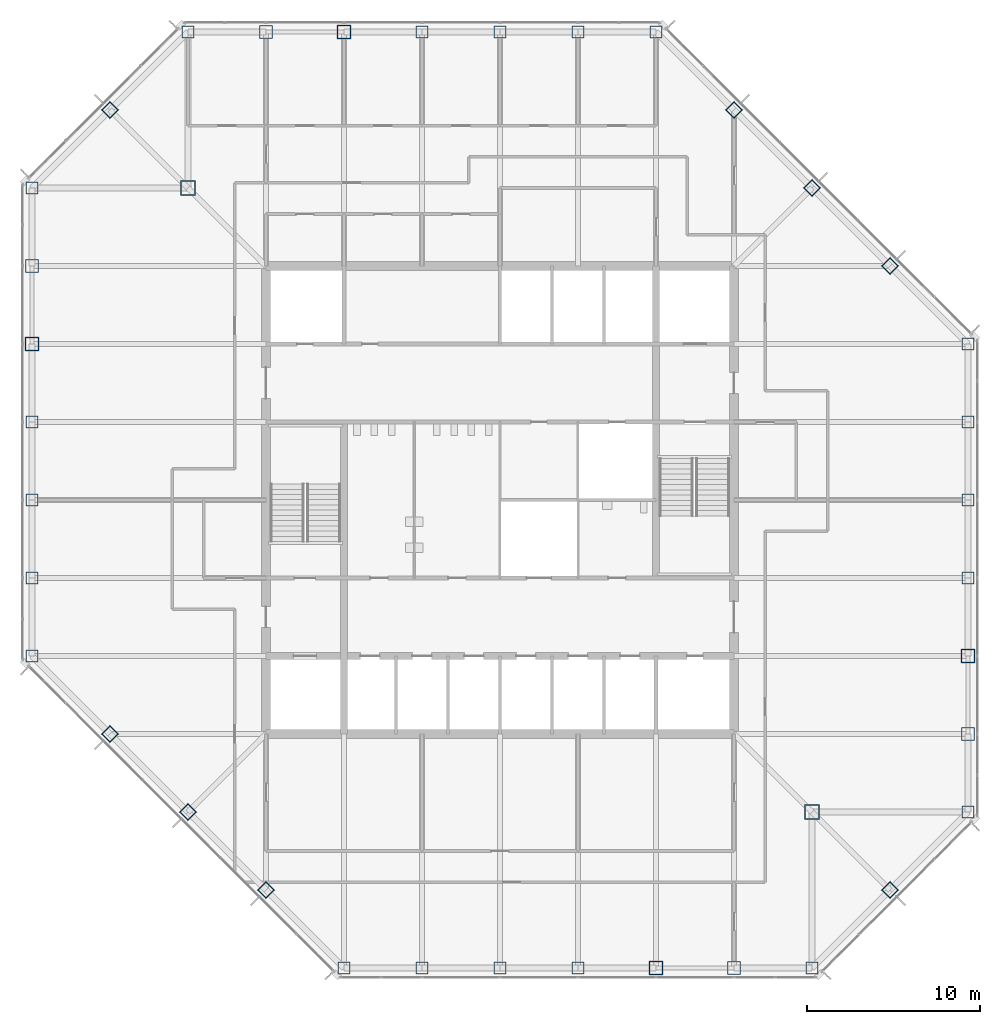
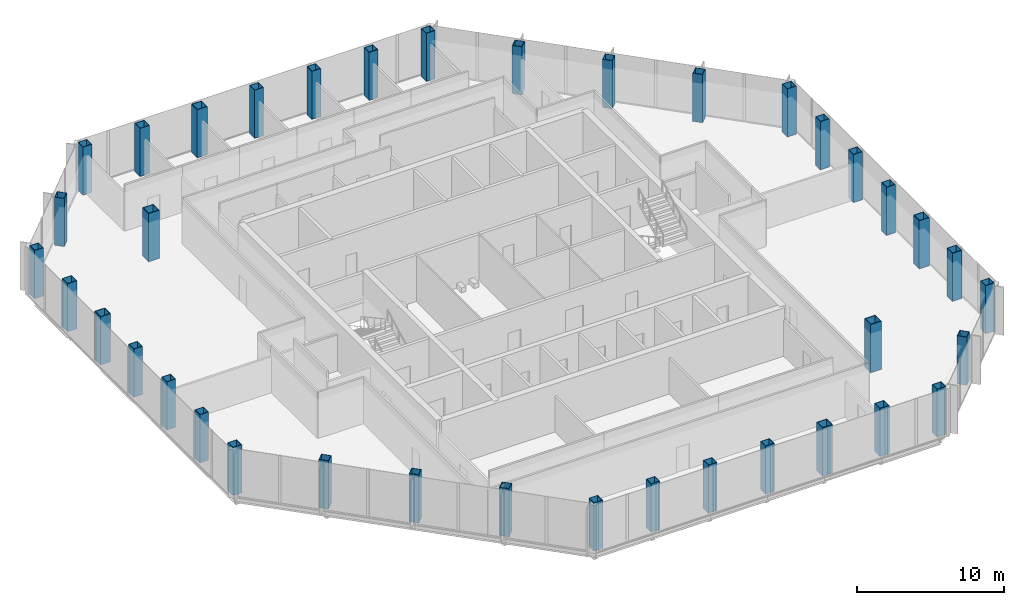
# One storey, part 1 of 13: 38 columns.
"""IFC4 building model written with IfcOpenShell, lengths in metres."""

import ifcopenshell
import ifcopenshell.guid

model = None  # the IFC model being written
_history = None  # IfcOwnerHistory: only IFC2X3 demands one
_inside = {}  # id of a spatial element -> (the spatial element, [elements in it])
_under = {}  # id of a project, library or spatial element -> (it, [spatial elements below it])
_declared = {}  # id of a project -> (the project, [libraries it declares])
_typed = {}  # id of a type object -> (the type object, [elements of that type])
_made_of = {}  # id of a material, layer set ... -> (it, [elements and type objects made of it])


def new_model(schema):
    """Start an empty IFC model of exactly this schema.

    Asked for "IFC4X3", IfcOpenShell would pick the latest addendum, in which some entities
    have other attributes; the version numbers below select the first issue.
    IFC2X3 requires an IfcOwnerHistory on every rooted entity: one is made here for all.
    """
    global model, _history
    if schema == "IFC4X3":
        model = ifcopenshell.file(schema_version=(4, 3, 0, 0))
    else:
        model = ifcopenshell.file(schema=schema)
    _inside.clear()
    _under.clear()
    _declared.clear()
    _typed.clear()
    _made_of.clear()
    _history = None
    if model.schema == "IFC2X3":
        org = make("IfcOrganization", Name="unknown")
        user = make(
            "IfcPersonAndOrganization",
            ThePerson=make("IfcPerson", FamilyName="unknown"),
            TheOrganization=org,
        )
        app = make(
            "IfcApplication",
            ApplicationDeveloper=org,
            Version="unknown",
            ApplicationFullName="unknown",
            ApplicationIdentifier="unknown",
        )
        _history = make(
            "IfcOwnerHistory",
            OwningUser=user,
            OwningApplication=app,
            ChangeAction="ADDED",
            CreationDate=0,
        )
    return model


def make(cls, **values):
    """One entity of the class cls with the attributes given. An attribute that is None is left unset."""
    return model.create_entity(
        cls, **{name: value for name, value in values.items() if value is not None}
    )


def rooted(cls, **values):
    """An entity with a GlobalId (a new one), such as an element, a storey or a relation."""
    return make(cls, GlobalId=ifcopenshell.guid.new(), OwnerHistory=_history, **values)


def si_unit(unit_type, name, prefix=None):
    """IfcSIUnit, for example si_unit("LENGTHUNIT", "METRE", prefix="MILLI")."""
    return make("IfcSIUnit", UnitType=unit_type, Prefix=prefix, Name=name)


def assignment(units):
    """IfcUnitAssignment: the units of a project."""
    return None if units is None else make("IfcUnitAssignment", Units=units)


def point(xyz):
    """IfcCartesianPoint."""
    return None if xyz is None else make("IfcCartesianPoint", Coordinates=xyz)


def direction(xyz):
    """IfcDirection."""
    return None if xyz is None else make("IfcDirection", DirectionRatios=xyz)


def frame(location, z_axis=None, x_axis=None):
    """IfcAxis2Placement3D, a coordinate frame: its origin and axes. An axis left out is left unset."""
    return make(
        "IfcAxis2Placement3D",
        Location=point(location),
        Axis=direction(z_axis),
        RefDirection=direction(x_axis),
    )


def frame_2d(location, x_axis=None):
    """IfcAxis2Placement2D, a coordinate frame in the plane: its origin and x axis."""
    return make(
        "IfcAxis2Placement2D", Location=point(location), RefDirection=direction(x_axis)
    )


def origin():
    """The frame at (0, 0, 0) with its axes left unset."""
    return frame((0.0, 0.0, 0.0))


def origin_2d():
    """The frame at (0, 0) in the plane with its x axis left unset."""
    return frame_2d((0.0, 0.0))


def place(relative_to, where):
    """IfcLocalPlacement: puts the frame where relative to a parent placement (None: the world)."""
    return make(
        "IfcLocalPlacement", PlacementRelTo=relative_to, RelativePlacement=where
    )


def context(
    kind, dimensions, precision=None, world=None, true_north=None, identifier=None
):
    """IfcGeometricRepresentationContext, for example the 3D "Model" context."""
    return make(
        "IfcGeometricRepresentationContext",
        ContextIdentifier=identifier,
        ContextType=kind,
        CoordinateSpaceDimension=dimensions,
        Precision=precision,
        WorldCoordinateSystem=world,
        TrueNorth=true_north,
    )


def subcontext(parent, identifier, kind, view, scale=None):
    """IfcGeometricRepresentationSubContext, for example "Body" below "Model"."""
    return make(
        "IfcGeometricRepresentationSubContext",
        ContextIdentifier=identifier,
        ContextType=kind,
        ParentContext=parent,
        TargetScale=scale,
        TargetView=view,
    )


def project(units=None, contexts=None):
    """IfcProject with its units and contexts."""
    return rooted(
        "IfcProject",
        Name="project",
        RepresentationContexts=contexts,
        UnitsInContext=assignment(units),
    )


def spatial(cls, under=None, at=None, **own):
    """A site, building, storey or space (cls), placed at a placement, below another one or the project."""
    s = rooted(cls, ObjectPlacement=at, **own)
    if under is not None:
        _under.setdefault(under.id(), (under, []))[1].append(s)
    return s


def profile(cls, at=None, kind="AREA", **sizes):
    """A parametric profile (cls). Its sizes go by their IFC names, for example OverallWidth=200.0."""
    return make(cls, ProfileType=kind, Position=at, **sizes)


def hollow_rectangle(**sizes):
    """IfcRectangleHollowProfileDef."""
    return profile("IfcRectangleHollowProfileDef", **sizes)


def extrude(swept, where, along, depth):
    """IfcExtrudedAreaSolid: the profile swept, set in the frame where, extruded along a direction by depth."""
    return make(
        "IfcExtrudedAreaSolid",
        SweptArea=swept,
        Position=where,
        ExtrudedDirection=direction(along),
        Depth=depth,
    )


def shape(context_of_items, identifier, shape_type, items):
    """IfcShapeRepresentation: the items that make up one representation, for example the "Body"."""
    return make(
        "IfcShapeRepresentation",
        ContextOfItems=context_of_items,
        RepresentationIdentifier=identifier,
        RepresentationType=shape_type,
        Items=items,
    )


def material(Name=None, Category=None):
    """IfcMaterial."""
    return make("IfcMaterial", Name=Name, Category=Category)


def material_profile(
    of_material, cross_section, Name=None, Category=None, Priority=None
):
    """IfcMaterialProfile: a cross section and its material."""
    return make(
        "IfcMaterialProfile",
        Name=Name,
        Material=of_material,
        Profile=cross_section,
        Priority=Priority,
        Category=Category,
    )


def profile_set(profiles, Name=None, composite=None):
    """IfcMaterialProfileSet."""
    return make(
        "IfcMaterialProfileSet",
        Name=Name,
        MaterialProfiles=profiles,
        CompositeProfile=composite,
    )


def made_of(thing, what):
    """Note that an element or type object is made of a material, layer set ...; save() writes the relation."""
    if what is not None:
        _made_of.setdefault(what.id(), (what, []))[1].append(thing)
    return thing


def type_object(cls, material=None, **own):
    """A type object (cls), such as IfcWallType, which elements share."""
    return made_of(rooted(cls, **own), material)


def element(
    cls,
    number,
    at=None,
    inside=None,
    cuts=None,
    type_object=None,
    material=None,
    context=None,
    identifier="Body",
    shape_type=None,
    held_by="IfcProductDefinitionShape",
    body=None,
    shapes=None,
    **own,
):
    """One element of the class cls, such as IfcWall. Its Tag is "e" and its number.

    at: its placement. inside: the storey or other place that contains it. cuts: it is an
    opening in that element (IfcRelVoidsElement). A single representation is given by context,
    identifier, shape_type and body (its items); several are given by shapes. held_by: the class
    of the entity that holds the representations. save() writes the other relations.
    """
    e = rooted(cls, Tag="e%d" % number, ObjectPlacement=at, **own)
    if body is not None:
        shapes = [shape(context, identifier, shape_type, body)]
    if shapes is not None:
        e.Representation = make(held_by, Representations=shapes)
    if inside is not None:
        _inside.setdefault(inside.id(), (inside, []))[1].append(e)
    if cuts is not None:
        rooted(
            "IfcRelVoidsElement", RelatingBuildingElement=cuts, RelatedOpeningElement=e
        )
    if type_object is not None:
        _typed.setdefault(type_object.id(), (type_object, []))[1].append(e)
    return made_of(e, material)


def aggregate(whole, parts):
    """IfcRelAggregates: a whole, such as a stair, and the parts it consists of."""
    return rooted("IfcRelAggregates", RelatingObject=whole, RelatedObjects=parts)


def save(model, path):
    """Write the relations noted so far, then the file.

    IfcRelAggregates (storeys below a building ...), IfcRelContainedInSpatialStructure (elements
    in a storey), IfcRelDefinesByType, IfcRelAssociatesMaterial and IfcRelDeclares: one each for
    every whole, place, type object, material and project.
    """
    for whole, parts in _under.values():
        aggregate(whole, parts)
    for where, things in _inside.values():
        rooted(
            "IfcRelContainedInSpatialStructure",
            RelatedElements=things,
            RelatingStructure=where,
        )
    for kind, things in _typed.values():
        rooted("IfcRelDefinesByType", RelatedObjects=things, RelatingType=kind)
    for what, things in _made_of.values():
        rooted("IfcRelAssociatesMaterial", RelatedObjects=things, RelatingMaterial=what)
    for by, libraries in _declared.values():
        rooted("IfcRelDeclares", RelatingContext=by, RelatedDefinitions=libraries)
    model.write(path)


model = new_model("IFC4")

# Units and contexts
model_context = context("Model", 3, precision=1e-05, world=origin(), true_north=direction((0.0, 1.0)))
body_context = subcontext(model_context, "Body", "Model", "MODEL_VIEW")
ifc_project = project(units=[si_unit("LENGTHUNIT", "METRE"), si_unit("AREAUNIT", "SQUARE_METRE"), si_unit("VOLUMEUNIT", "CUBIC_METRE"), si_unit("PLANEANGLEUNIT", "RADIAN"), si_unit("MASSUNIT", "GRAM", prefix="KILO")], contexts=[model_context])

# Site, building, storey
site_placement = place(None, origin())
site = spatial("IfcSite", under=ifc_project, at=site_placement, CompositionType="ELEMENT")
building_placement = place(site_placement, origin())
building = spatial("IfcBuilding", under=site, at=building_placement, Name="Corais Broadcast Tower", CompositionType="ELEMENT")
storey_placement = place(building_placement, frame((0.0, 0.0, 171.60009765625)))
storey = spatial("IfcBuildingStorey", under=building, at=storey_placement, Name="L39", CompositionType="ELEMENT", Elevation=171.60009765625)

# Columns
ifc_material_1 = material(Name="Steel ASTM A572 Grade 50", Category="steel")
ifc_material_profile_1 = material_profile(ifc_material_1, hollow_rectangle(XDim=0.699951171875, YDim=0.699951171875, WallThickness=0.035888671875, at=origin_2d()), Name="BOX 700x700x36")
ifc_profile_set_1 = profile_set([ifc_material_profile_1], Name="Steel ASTM A572 Grade 50")
column_type_1 = type_object("IfcColumnType", Name="Column BOX 700x700x36", PredefinedType="COLUMN", material=ifc_profile_set_1)
for number, where, z_axis, x_axis, name in (
    (1, (18.0, 0.0, 0.0), (0.0, 0.0, 1.0), (1.0, 0.0, 0.0), "C5 A/7"),
    (2, (22.5, 0.0, 0.0), (0.0, 0.0, 1.0), (1.0, 0.0, 0.0), "C5 A/8"),
    (3, (27.0, 0.0, 0.0), (0.0, 0.0, 1.0), (1.0, 0.0, 0.0), "C5 A/9"),
    (4, (31.5, 0.0, 0.0), (0.0, 0.0, 1.0), (1.0, 0.0, 0.0), "C5 A/10"),
    (5, (45.0, 0.0, 0.0), (0.0, 0.0, 1.0), (1.0, 0.0, 0.0), "C5 A/13"),
    (6, (54.0, 9.0, 0.0), (0.0, 0.0, 1.0), (1.0, 0.0, 0.0), "C5 C/15"),
    (7, (54.0, 22.5, 0.0), (0.0, 0.0, 1.0), (1.0, 0.0, 0.0), "C5 F/15"),
    (8, (54.0, 27.0, 0.0), (0.0, 0.0, 1.0), (1.0, 0.0, 0.0), "C5 G/15"),
    (9, (54.0, 31.5, 0.0), (0.0, 0.0, 1.0), (1.0, 0.0, 0.0), "C5 H/15"),
    (10, (54.0, 36.0, 0.0), (0.0, 0.0, 1.0), (1.0, 0.0, 0.0), "C5 J/15"),
    (11, (36.0, 54.0, 0.0), (0.0, 0.0, 1.0), (1.0, 0.0, 0.0), "C5 N/11"),
    (12, (31.5, 54.0, 0.0), (0.0, 0.0, 1.0), (1.0, 0.0, 0.0), "C5 N/10"),
    (13, (27.0, 54.0, 0.0), (0.0, 0.0, 1.0), (1.0, 0.0, 0.0), "C5 N/9"),
    (14, (22.5, 54.0, 0.0), (0.0, 0.0, 1.0), (1.0, 0.0, 0.0), "C5 N/8"),
    (15, (9.0, 54.0, 0.0), (0.0, 0.0, 1.0), (1.0, 0.0, 0.0), "C5 N/5"),
    (16, (0.0, 45.0, 0.0), (0.0, 0.0, 1.0), (1.0, 0.0, 0.0), "C5 L/3"),
    (17, (0.0, 31.5, 0.0), (0.0, 0.0, 1.0), (1.0, 0.0, 0.0), "C5 H/3"),
    (18, (0.0, 27.0, 0.0), (0.0, 0.0, 1.0), (1.0, 0.0, 0.0), "C5 G/3"),
    (19, (0.0, 22.5, 0.0), (0.0, 0.0, 1.0), (1.0, 0.0, 0.0), "C5 F/3"),
    (20, (0.0, 18.0, 0.0), (0.0, 0.0, 1.0), (1.0, 0.0, 0.0), "C5 E/3"),
    (21, (13.5, 4.5, 0.0), (0.0, 0.0, 1.0), (0.707106781187, 0.707106781187, 0.0), "C5 B/6"),
    (22, (9.0, 9.0, 0.0), (0.0, 0.0, 1.0), (0.707106781187, 0.707106781187, 0.0), "C5 C/5"),
    (23, (4.5, 13.5, 0.0), (0.0, 0.0, 1.0), (0.707106781187, 0.707106781187, 0.0), "C5 D/4"),
    (24, (49.5, 4.5, 0.0), (0.0, 0.0, 1.0), (0.707106781187, 0.707106781187, 0.0), "C5 B/14"),
    (25, (49.5, 40.5, 0.0), (0.0, 0.0, 1.0), (0.707106781187, 0.707106781187, 0.0), "C5 K/14"),
    (26, (45.0, 45.0, 0.0), (0.0, 0.0, 1.0), (0.707106781187, 0.707106781187, 0.0), "C5 L/13"),
    (27, (40.5, 49.5, 0.0), (0.0, 0.0, 1.0), (0.707106781187, 0.707106781187, 0.0), "C5 M/12"),
    (28, (4.5, 49.5, 0.0), (0.0, 0.0, 1.0), (0.707106781187, 0.707106781187, 0.0), "C5 M/4"),
):
    element("IfcColumn", number, at=place(storey_placement, frame(where, z_axis=z_axis, x_axis=x_axis)), inside=storey, type_object=column_type_1, Name=name, PredefinedType="COLUMN", context=body_context, shape_type="SweptSolid", body=[
        extrude(hollow_rectangle(XDim=0.699951171875, YDim=0.699951171875, WallThickness=0.035888671875, at=origin_2d()), origin(), (0.0, 0.0, 1.0), 4.0),
    ])
ifc_material_2 = material(Name="Steel ASTM A572 Grade 50", Category="steel")
ifc_material_profile_2 = material_profile(ifc_material_2, hollow_rectangle(XDim=0.75, YDim=0.75, WallThickness=0.0400390625, at=origin_2d()), Name="BOX 750x750x40")
ifc_profile_set_2 = profile_set([ifc_material_profile_2], Name="Steel ASTM A572 Grade 50")
column_type_2 = type_object("IfcColumnType", Name="Column BOX 750x750x40", PredefinedType="COLUMN", material=ifc_profile_set_2)
for number, where, z_axis, x_axis, name in (
    (29, (40.5, 0.0, 0.0), (0.0, 0.0, 1.0), (1.0, 0.0, 0.0), "C4 A/12"),
    (30, (54.0, 13.5, 0.0), (0.0, 0.0, 1.0), (1.0, 0.0, 0.0), "C4 D/15"),
    (31, (13.5, 54.0, 0.0), (0.0, 0.0, 1.0), (1.0, 0.0, 0.0), "C4 N/6"),
    (32, (0.0, 40.5, 0.0), (0.0, 0.0, 1.0), (1.0, 0.0, 0.0), "C4 K/3"),
):
    element("IfcColumn", number, at=place(storey_placement, frame(where, z_axis=z_axis, x_axis=x_axis)), inside=storey, type_object=column_type_2, Name=name, PredefinedType="COLUMN", context=body_context, shape_type="SweptSolid", body=[
        extrude(hollow_rectangle(XDim=0.75, YDim=0.75, WallThickness=0.0400390625, at=origin_2d()), origin(), (0.0, 0.0, 1.0), 4.0),
    ])
ifc_material_3 = material(Name="Steel ASTM A572 Grade 50", Category="steel")
ifc_material_profile_3 = material_profile(ifc_material_3, hollow_rectangle(XDim=0.800048828125, YDim=0.800048828125, WallThickness=0.044921875, at=origin_2d()), Name="BOX 800x800x45")
ifc_profile_set_3 = profile_set([ifc_material_profile_3], Name="Steel ASTM A572 Grade 50")
column_type_3 = type_object("IfcColumnType", Name="Column BOX 800x800x45", PredefinedType="COLUMN", material=ifc_profile_set_3)
for number, where, z_axis, x_axis, name in (
    (33, (36.0, 0.0, 0.0), (0.0, 0.0, 1.0), (1.0, 0.0, 0.0), "C3 A/11"),
    (34, (54.0, 18.0, 0.0), (0.0, 0.0, 1.0), (1.0, 0.0, 0.0), "C3 E/15"),
    (35, (18.0, 54.0, 0.0), (0.0, 0.0, 1.0), (1.0, 0.0, 0.0), "C3 N/7"),
    (36, (0.0, 36.0, 0.0), (0.0, 0.0, 1.0), (1.0, 0.0, 0.0), "C3 J/3"),
):
    element("IfcColumn", number, at=place(storey_placement, frame(where, z_axis=z_axis, x_axis=x_axis)), inside=storey, type_object=column_type_3, Name=name, PredefinedType="COLUMN", context=body_context, shape_type="SweptSolid", body=[
        extrude(hollow_rectangle(XDim=0.800048828125, YDim=0.800048828125, WallThickness=0.044921875, at=origin_2d()), origin(), (0.0, 0.0, 1.0), 4.0),
    ])
ifc_material_4 = material(Name="Steel ASTM A572 Grade 50", Category="steel")
ifc_material_profile_4 = material_profile(ifc_material_4, hollow_rectangle(XDim=0.85009765625, YDim=0.85009765625, WallThickness=0.050048828125, at=origin_2d()), Name="BOX 850x850x50")
ifc_profile_set_4 = profile_set([ifc_material_profile_4], Name="Steel ASTM A572 Grade 50")
column_type_4 = type_object("IfcColumnType", Name="Column BOX 850x850x50", PredefinedType="COLUMN", material=ifc_profile_set_4)
for number, where, z_axis, x_axis, name in (
    (37, (45.0, 9.0, 0.0), (0.0, 0.0, 1.0), (1.0, 0.0, 0.0), "C1 C/13"),
    (38, (9.0, 45.0, 0.0), (0.0, 0.0, 1.0), (1.0, 0.0, 0.0), "C1 L/5"),
):
    element("IfcColumn", number, at=place(storey_placement, frame(where, z_axis=z_axis, x_axis=x_axis)), inside=storey, type_object=column_type_4, Name=name, PredefinedType="COLUMN", context=body_context, shape_type="SweptSolid", body=[
        extrude(hollow_rectangle(XDim=0.85009765625, YDim=0.85009765625, WallThickness=0.050048828125, at=origin_2d()), origin(), (0.0, 0.0, 1.0), 4.0),
    ])

save(model, "model.ifc")
